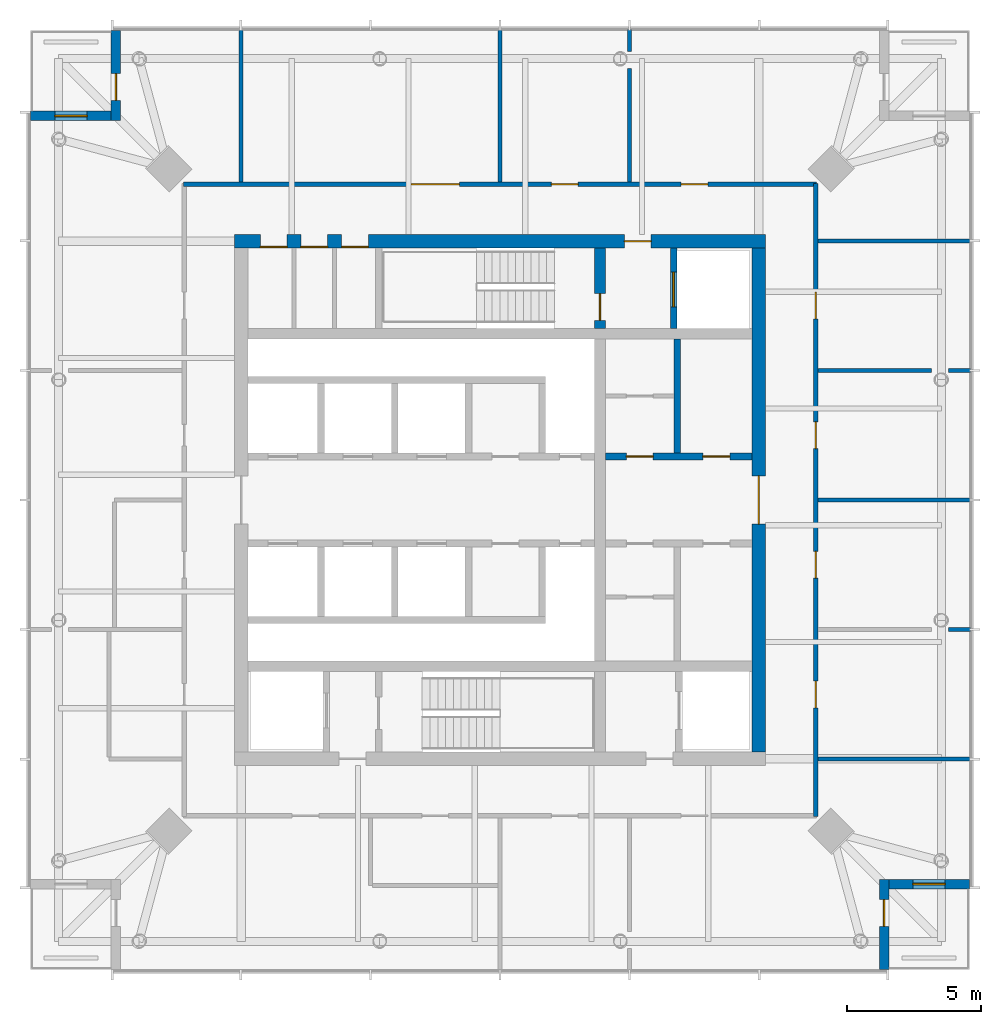
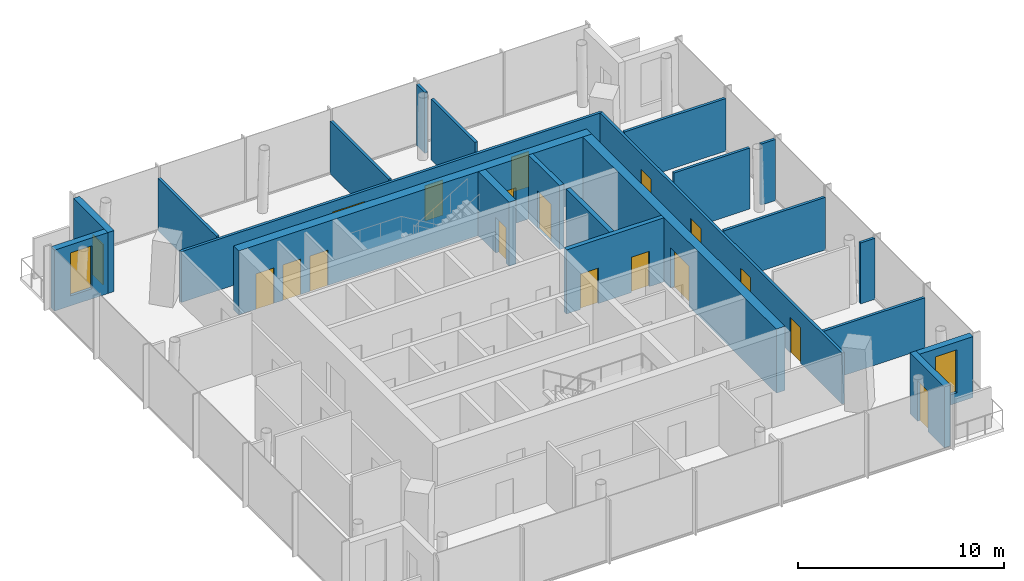
# One storey, part 5 of 7: 22 walls, 18 doors, 2 windows, 20 openings.
"""IFC4 building model written with IfcOpenShell, lengths in metres."""

from ifc_helpers import new_model, si_unit, direction, frame, frame_2d, origin, place, context, subcontext, project, spatial, rectangle, extrude, material, layer, layer_set, type_object, element, fill, save


model = new_model("IFC4")

# Units and contexts
model_context = context("Model", 3, precision=1e-05, world=origin(), true_north=direction((0.0, 1.0)))
body_context = subcontext(model_context, "Body", "Model", "MODEL_VIEW")
ifc_project = project(units=[si_unit("LENGTHUNIT", "METRE"), si_unit("AREAUNIT", "SQUARE_METRE"), si_unit("VOLUMEUNIT", "CUBIC_METRE"), si_unit("PLANEANGLEUNIT", "RADIAN"), si_unit("MASSUNIT", "GRAM", prefix="KILO")], contexts=[model_context])

# Site, building, storey
site_placement = place(None, origin())
site = spatial("IfcSite", under=ifc_project, at=site_placement, CompositionType="ELEMENT")
building_placement = place(site_placement, origin())
building = spatial("IfcBuilding", under=site, at=building_placement, Name="Ostroluk Exchange", CompositionType="ELEMENT")
storey_placement = place(building_placement, frame((0.0, 0.0, 256.60009765625)))
storey = spatial("IfcBuildingStorey", under=building, at=storey_placement, Name="L66", CompositionType="ELEMENT", Elevation=256.60009765625)

# Wall, opening, door
ifc_material_1 = material(Name="Concrete C50/60", Category="concrete")
ifc_layer_1 = layer(ifc_material_1, 0.39990234375)
ifc_layer_set_1 = layer_set([ifc_layer_1], Name="Core cross wall 400 C50/60")
wall_type_1 = type_object("IfcWallType", Name="Core cross wall 400 C50/60", PredefinedType="SHEAR", material=ifc_layer_set_1)
wall_1_placement = place(storey_placement, frame((48.72998046875, 52.39990234375, 0.0), z_axis=(0.0, 0.0, 1.0), x_axis=(0.0, 1.0, 0.0)))
wall_1 = element("IfcWall", 1, at=wall_1_placement, inside=storey, type_object=wall_type_1, Name="T1 core wall YE3", PredefinedType="SHEAR", context=body_context, shape_type="SweptSolid", body=[
    extrude(rectangle(XDim=3.0, YDim=0.39990234375, at=frame_2d((1.5, 0.0))), origin(), (0.0, 0.0, 1.0), 3.7998046875),
])
opening_1_placement = place(wall_1_placement, frame((0.300048828125, 0.0, 0.0)))
opening_1 = element("IfcOpeningElement", 2, at=opening_1_placement, cuts=wall_1, Name="Opening FD60", PredefinedType="OPENING", context=body_context, shape_type="SweptSolid", body=[
    extrude(rectangle(XDim=1.0, YDim=2.10009765625, at=frame_2d((0.5, 1.050048828125))), frame((0.0, 0.2099609375, 0.0), z_axis=(0.0, -1.0, 0.0), x_axis=(1.0, 0.0, 0.0)), (0.0, 0.0, 1.0), 0.419921875),
])
ifc_material_2 = material(Name="Steel", Category="steel")
door_type_1 = type_object("IfcDoorType", Name="Fire door EI 60 1000 x 2100", OperationType="SINGLE_SWING_LEFT", PredefinedType="DOOR", material=ifc_material_2)
door_1_placement = place(opening_1_placement, origin())
door_1 = element("IfcDoor", 3, at=door_1_placement, inside=storey, type_object=door_type_1, Name="Stair T1-S2 door", OperationType="SINGLE_SWING_LEFT", OverallHeight=2.10009765625, OverallWidth=1.0, PredefinedType="DOOR", context=body_context, shape_type="SweptSolid", body=[
    extrude(rectangle(XDim=1.0, YDim=2.10009765625, at=frame_2d((0.5, 1.050048828125))), frame((0.0, 0.02490234375, 0.0), z_axis=(0.0, -1.0, 0.0), x_axis=(1.0, 0.0, 0.0)), (0.0, 0.0, 1.0), 0.050048828125),
])
fill(opening_1, door_1)

ifc_material_3 = material(Name="Concrete C40/50", Category="concrete")
ifc_layer_2 = layer(ifc_material_3, 0.25)
ifc_layer_set_2 = layer_set([ifc_layer_2], Name="Core shaft wall 250")
wall_type_2 = type_object("IfcWallType", Name="Core shaft wall 250", PredefinedType="SHEAR", material=ifc_layer_set_2)
wall_2_placement = place(storey_placement, frame((51.47509765625, 52.39990234375, 0.0), z_axis=(0.0, 0.0, 1.0), x_axis=(0.0, 1.0, 0.0)))
wall_2 = element("IfcWall", 4, at=wall_2_placement, inside=storey, type_object=wall_type_2, Name="Firefighting lift shaft wall", PredefinedType="SHEAR", context=body_context, shape_type="SweptSolid", body=[
    extrude(rectangle(XDim=3.0, YDim=0.25, at=frame_2d((1.5, 0.0))), origin(), (0.0, 0.0, 1.0), 3.7998046875),
])
opening_2_placement = place(wall_2_placement, frame((0.800048828125, 0.0, 0.0)))
opening_2 = element("IfcOpeningElement", 5, at=opening_2_placement, cuts=wall_2, Name="Opening LD2", PredefinedType="OPENING", context=body_context, shape_type="SweptSolid", body=[
    extrude(rectangle(XDim=1.300048828125, YDim=2.199951171875, at=frame_2d((0.64990234375, 1.10009765625))), frame((0.0, 0.135009765625, 0.0), z_axis=(0.0, -1.0, 0.0), x_axis=(1.0, 0.0, 0.0)), (0.0, 0.0, 1.0), 0.27001953125),
])
ifc_material_4 = material(Name="Stainless steel", Category="steel")
door_type_2 = type_object("IfcDoorType", Name="Lift landing door E 60 1300 x 2200", OperationType="DOUBLE_DOOR_SLIDING", PredefinedType="DOOR", material=ifc_material_4)
door_2_placement = place(opening_2_placement, origin())
door_2 = element("IfcDoor", 6, at=door_2_placement, inside=storey, type_object=door_type_2, Name="Lift FL2 landing door", OperationType="DOUBLE_DOOR_SLIDING", OverallHeight=2.199951171875, OverallWidth=1.300048828125, PredefinedType="DOOR", context=body_context, shape_type="SweptSolid", body=[
    extrude(rectangle(XDim=1.300048828125, YDim=2.199951171875, at=frame_2d((0.64990234375, 1.10009765625))), frame((0.0, 0.02490234375, 0.0), z_axis=(0.0, -1.0, 0.0), x_axis=(1.0, 0.0, 0.0)), (0.0, 0.0, 1.0), 0.050048828125),
])
fill(opening_2, door_2)

# Wall
wall_3_placement = place(storey_placement, frame((51.614990234375, 47.75, 0.0), z_axis=(0.0, 0.0, 1.0), x_axis=(0.0, 1.0, 0.0)))
element("IfcWall", 7, at=wall_3_placement, inside=storey, type_object=wall_type_2, Name="Lift shaft wall", PredefinedType="SHEAR", context=body_context, shape_type="SweptSolid", body=[
    extrude(rectangle(XDim=4.25, YDim=0.25, at=frame_2d((2.125, 0.0))), origin(), (0.0, 0.0, 1.0), 3.7998046875),
])

# Wall, openings, doors
wall_4_placement = place(storey_placement, frame((48.929931640625, 47.625, 0.0), z_axis=(0.0, 0.0, 1.0), x_axis=(1.0, 0.0, 0.0)))
wall_4 = element("IfcWall", 8, at=wall_4_placement, inside=storey, type_object=wall_type_2, Name="Lift shaft front wall", PredefinedType="SHEAR", context=body_context, shape_type="SweptSolid", body=[
    extrude(rectangle(XDim=5.469970703125, YDim=0.25, at=frame_2d((2.73486328125, 0.0))), origin(), (0.0, 0.0, 1.0), 3.7998046875),
])
opening_3_placement = place(wall_4_placement, frame((0.780029296875, 0.0, 0.0)))
opening_3 = element("IfcOpeningElement", 9, at=opening_3_placement, cuts=wall_4, Name="Opening FD60", PredefinedType="OPENING", context=body_context, shape_type="SweptSolid", body=[
    extrude(rectangle(XDim=1.0, YDim=2.10009765625, at=frame_2d((0.5, 1.050048828125))), frame((0.0, 0.135009765625, 0.0), z_axis=(0.0, -1.0, 0.0), x_axis=(1.0, 0.0, 0.0)), (0.0, 0.0, 1.0), 0.27001953125),
])
opening_4_placement = place(wall_4_placement, frame((3.639892578125, 0.0, 0.0)))
opening_4 = element("IfcOpeningElement", 10, at=opening_4_placement, cuts=wall_4, Name="Opening FD60", PredefinedType="OPENING", context=body_context, shape_type="SweptSolid", body=[
    extrude(rectangle(XDim=1.0, YDim=2.10009765625, at=frame_2d((0.5, 1.050048828125))), frame((0.0, 0.135009765625, 0.0), z_axis=(0.0, -1.0, 0.0), x_axis=(1.0, 0.0, 0.0)), (0.0, 0.0, 1.0), 0.27001953125),
])
door_3_placement = place(opening_3_placement, origin())
door_3 = element("IfcDoor", 11, at=door_3_placement, inside=storey, type_object=door_type_1, Name="Core room door", OperationType="SINGLE_SWING_LEFT", OverallHeight=2.10009765625, OverallWidth=1.0, PredefinedType="DOOR", context=body_context, shape_type="SweptSolid", body=[
    extrude(rectangle(XDim=1.0, YDim=2.10009765625, at=frame_2d((0.5, 1.050048828125))), frame((0.0, 0.02490234375, 0.0), z_axis=(0.0, -1.0, 0.0), x_axis=(1.0, 0.0, 0.0)), (0.0, 0.0, 1.0), 0.050048828125),
])
fill(opening_3, door_3)
door_4_placement = place(opening_4_placement, origin())
door_4 = element("IfcDoor", 12, at=door_4_placement, inside=storey, type_object=door_type_1, Name="Core room door", OperationType="SINGLE_SWING_RIGHT", OverallHeight=2.10009765625, OverallWidth=1.0, PredefinedType="DOOR", context=body_context, shape_type="SweptSolid", body=[
    extrude(rectangle(XDim=1.0, YDim=2.10009765625, at=frame_2d((0.5, 1.050048828125))), frame((0.0, 0.02490234375, 0.0), z_axis=(0.0, -1.0, 0.0), x_axis=(1.0, 0.0, 0.0)), (0.0, 0.0, 1.0), 0.050048828125),
])
fill(opening_4, door_4)

ifc_material_5 = material(Name="Concrete C50/60", Category="concrete")
ifc_layer_3 = layer(ifc_material_5, 0.5)
ifc_layer_set_3 = layer_set([ifc_layer_3], Name="Core wall 500 C50/60")
wall_type_3 = type_object("IfcWallType", Name="Core wall 500 C50/60", PredefinedType="SHEAR", material=ifc_layer_set_3)
wall_5_placement = place(storey_placement, frame((35.10009765625, 55.64990234375, 0.0), z_axis=(0.0, 0.0, 1.0), x_axis=(1.0, 0.0, 0.0)))
wall_5 = element("IfcWall", 13, at=wall_5_placement, inside=storey, type_object=wall_type_3, Name="T1 core wall N", PredefinedType="SHEAR", context=body_context, shape_type="SweptSolid", body=[
    extrude(rectangle(XDim=19.7998046875, YDim=0.5, at=frame_2d((9.89990234375, 0.0))), origin(), (0.0, 0.0, 1.0), 3.7998046875),
])
opening_5_placement = place(wall_5_placement, frame((14.5400390625, 0.0, 0.0)))
opening_5 = element("IfcOpeningElement", 14, at=opening_5_placement, cuts=wall_5, Name="Opening FD60", PredefinedType="OPENING", context=body_context, shape_type="SweptSolid", body=[
    extrude(rectangle(XDim=1.0, YDim=2.10009765625, at=frame_2d((0.5, 1.050048828125))), frame((0.0, 0.260009765625, 0.0), z_axis=(0.0, -1.0, 0.0), x_axis=(1.0, 0.0, 0.0)), (0.0, 0.0, 1.0), 0.52001953125),
])
opening_6_placement = place(wall_5_placement, frame((0.9599609375, 0.0, 0.0)))
opening_6 = element("IfcOpeningElement", 15, at=opening_6_placement, cuts=wall_5, Name="Opening FD60", PredefinedType="OPENING", context=body_context, shape_type="SweptSolid", body=[
    extrude(rectangle(XDim=1.0, YDim=2.10009765625, at=frame_2d((0.5, 1.050048828125))), frame((0.0, 0.260009765625, 0.0), z_axis=(0.0, -1.0, 0.0), x_axis=(1.0, 0.0, 0.0)), (0.0, 0.0, 1.0), 0.52001953125),
])
opening_7_placement = place(wall_5_placement, frame((2.469970703125, 0.0, 0.0)))
opening_7 = element("IfcOpeningElement", 16, at=opening_7_placement, cuts=wall_5, Name="Opening FD60", PredefinedType="OPENING", context=body_context, shape_type="SweptSolid", body=[
    extrude(rectangle(XDim=1.0, YDim=2.10009765625, at=frame_2d((0.5, 1.050048828125))), frame((0.0, 0.260009765625, 0.0), z_axis=(0.0, -1.0, 0.0), x_axis=(1.0, 0.0, 0.0)), (0.0, 0.0, 1.0), 0.52001953125),
])
opening_8_placement = place(wall_5_placement, frame((3.989990234375, 0.0, 0.0)))
opening_8 = element("IfcOpeningElement", 17, at=opening_8_placement, cuts=wall_5, Name="Opening FD60", PredefinedType="OPENING", context=body_context, shape_type="SweptSolid", body=[
    extrude(rectangle(XDim=1.0, YDim=2.10009765625, at=frame_2d((0.5, 1.050048828125))), frame((0.0, 0.260009765625, 0.0), z_axis=(0.0, -1.0, 0.0), x_axis=(1.0, 0.0, 0.0)), (0.0, 0.0, 1.0), 0.52001953125),
])
door_5_placement = place(opening_5_placement, origin())
door_5 = element("IfcDoor", 18, at=door_5_placement, inside=storey, type_object=door_type_1, Name="Firefighting lobby door", OperationType="SINGLE_SWING_RIGHT", OverallHeight=2.10009765625, OverallWidth=1.0, PredefinedType="DOOR", context=body_context, shape_type="SweptSolid", body=[
    extrude(rectangle(XDim=1.0, YDim=2.10009765625, at=frame_2d((0.5, 1.050048828125))), frame((0.0, 0.02490234375, 0.0), z_axis=(0.0, -1.0, 0.0), x_axis=(1.0, 0.0, 0.0)), (0.0, 0.0, 1.0), 0.050048828125),
])
fill(opening_5, door_5)
door_6_placement = place(opening_6_placement, origin())
door_6 = element("IfcDoor", 19, at=door_6_placement, inside=storey, type_object=door_type_1, Name="Comms room door", OperationType="SINGLE_SWING_LEFT", OverallHeight=2.10009765625, OverallWidth=1.0, PredefinedType="DOOR", context=body_context, shape_type="SweptSolid", body=[
    extrude(rectangle(XDim=1.0, YDim=2.10009765625, at=frame_2d((0.5, 1.050048828125))), frame((0.0, -0.18994140625, 0.0), z_axis=(0.0, -1.0, 0.0), x_axis=(1.0, 0.0, 0.0)), (0.0, 0.0, 1.0), 0.050048828125),
])
fill(opening_6, door_6)
door_7_placement = place(opening_7_placement, origin())
door_7 = element("IfcDoor", 20, at=door_7_placement, inside=storey, type_object=door_type_1, Name="Cleaner's store door", OperationType="SINGLE_SWING_LEFT", OverallHeight=2.10009765625, OverallWidth=1.0, PredefinedType="DOOR", context=body_context, shape_type="SweptSolid", body=[
    extrude(rectangle(XDim=1.0, YDim=2.10009765625, at=frame_2d((0.5, 1.050048828125))), frame((0.0, -0.18994140625, 0.0), z_axis=(0.0, -1.0, 0.0), x_axis=(1.0, 0.0, 0.0)), (0.0, 0.0, 1.0), 0.050048828125),
])
fill(opening_7, door_7)
door_8_placement = place(opening_8_placement, origin())
door_8 = element("IfcDoor", 21, at=door_8_placement, inside=storey, type_object=door_type_1, Name="Store door", OperationType="SINGLE_SWING_LEFT", OverallHeight=2.10009765625, OverallWidth=1.0, PredefinedType="DOOR", context=body_context, shape_type="SweptSolid", body=[
    extrude(rectangle(XDim=1.0, YDim=2.10009765625, at=frame_2d((0.5, 1.050048828125))), frame((0.0, -0.18994140625, 0.0), z_axis=(0.0, -1.0, 0.0), x_axis=(1.0, 0.0, 0.0)), (0.0, 0.0, 1.0), 0.050048828125),
])
fill(opening_8, door_8)

# Wall, opening, door
wall_6_placement = place(storey_placement, frame((54.64990234375, 36.60009765625, 0.0), z_axis=(0.0, 0.0, 1.0), x_axis=(0.0, 1.0, 0.0)))
wall_6 = element("IfcWall", 22, at=wall_6_placement, inside=storey, type_object=wall_type_3, Name="T1 core wall E", PredefinedType="SHEAR", context=body_context, shape_type="SweptSolid", body=[
    extrude(rectangle(XDim=18.7998046875, YDim=0.5, at=frame_2d((9.39990234375, 0.0))), origin(), (0.0, 0.0, 1.0), 3.7998046875),
])
opening_9_placement = place(wall_6_placement, frame((8.5, 0.0, 0.0)))
opening_9 = element("IfcOpeningElement", 23, at=opening_9_placement, cuts=wall_6, Name="Opening FD30D", PredefinedType="OPENING", context=body_context, shape_type="SweptSolid", body=[
    extrude(rectangle(XDim=1.800048828125, YDim=2.39990234375, at=frame_2d((0.89990234375, 1.199951171875))), frame((0.0, 0.260009765625, 0.0), z_axis=(0.0, -1.0, 0.0), x_axis=(1.0, 0.0, 0.0)), (0.0, 0.0, 1.0), 0.52001953125),
])
ifc_material_6 = material(Name="Timber", Category="wood")
door_type_3 = type_object("IfcDoorType", Name="Lobby double door EI 30 1800 x 2400", OperationType="DOUBLE_DOOR_SINGLE_SWING", PredefinedType="DOOR", material=ifc_material_6)
door_9_placement = place(opening_9_placement, origin())
door_9 = element("IfcDoor", 24, at=door_9_placement, inside=storey, type_object=door_type_3, Name="Lift lobby doors", OperationType="DOUBLE_DOOR_SINGLE_SWING", OverallHeight=2.39990234375, OverallWidth=1.800048828125, PredefinedType="DOOR", context=body_context, shape_type="SweptSolid", body=[
    extrude(rectangle(XDim=1.800048828125, YDim=2.39990234375, at=frame_2d((0.89990234375, 1.199951171875))), frame((0.0, 0.02490234375, 0.0), z_axis=(0.0, -1.0, 0.0), x_axis=(1.0, 0.0, 0.0)), (0.0, 0.0, 1.0), 0.050048828125),
])
fill(opening_9, door_9)

ifc_material_7 = material(Name="Limestone", Category="masonry")
ifc_layer_4 = layer(ifc_material_7, 0.35009765625)
ifc_layer_set_4 = layer_set([ifc_layer_4], Name="Limestone facade wall 350")
wall_type_4 = type_object("IfcWallType", Name="Limestone facade wall 350", PredefinedType="SOLIDWALL", material=ifc_layer_set_4)
wall_7_placement = place(storey_placement, frame((59.324951171875, 28.5, 0.0), z_axis=(0.0, 0.0, 1.0), x_axis=(0.0, 1.0, 0.0)))
wall_7 = element("IfcWall", 25, at=wall_7_placement, inside=storey, type_object=wall_type_4, Name="Office tower SE corner wall L66 a", PredefinedType="SOLIDWALL", context=body_context, shape_type="SweptSolid", body=[
    extrude(rectangle(XDim=3.35009765625, YDim=0.35009765625, at=frame_2d((1.675048828125, 0.0))), origin(), (0.0, 0.0, 1.0), 3.619873046875),
])
opening_10_placement = place(wall_7_placement, frame((1.60009765625, 0.0, 0.0)))
opening_10 = element("IfcOpeningElement", 26, at=opening_10_placement, cuts=wall_7, Name="Opening D-B1", PredefinedType="OPENING", context=body_context, shape_type="SweptSolid", body=[
    extrude(rectangle(XDim=1.0, YDim=2.39990234375, at=frame_2d((0.5, 1.199951171875))), frame((0.0, 0.18505859375, 0.0), z_axis=(0.0, -1.0, 0.0), x_axis=(1.0, 0.0, 0.0)), (0.0, 0.0, 1.0), 0.3701171875),
])
ifc_material_8 = material(Name="Bronze framed glazed door", Category="aluminium")
door_type_4 = type_object("IfcDoorType", Name="Balcony door 1000 x 2400", OperationType="SINGLE_SWING_LEFT", PredefinedType="DOOR", material=ifc_material_8)
door_10_placement = place(opening_10_placement, origin())
door_10 = element("IfcDoor", 27, at=door_10_placement, inside=storey, type_object=door_type_4, Name="Office tower SE balcony door L66", OperationType="SINGLE_SWING_RIGHT", OverallHeight=2.39990234375, OverallWidth=1.0, PredefinedType="DOOR", context=body_context, shape_type="SweptSolid", body=[
    extrude(rectangle(XDim=1.0, YDim=2.39990234375, at=frame_2d((0.5, 1.199951171875))), frame((0.0, 0.02490234375, 0.0), z_axis=(0.0, -1.0, 0.0), x_axis=(1.0, 0.0, 0.0)), (0.0, 0.0, 1.0), 0.050048828125),
])
fill(opening_10, door_10)

# Wall, opening, window
wall_8_placement = place(storey_placement, frame((59.5, 31.675048828125, 0.0), z_axis=(0.0, 0.0, 1.0), x_axis=(1.0, 0.0, 0.0)))
wall_8 = element("IfcWall", 28, at=wall_8_placement, inside=storey, type_object=wall_type_4, Name="Office tower SE corner wall L66 b", PredefinedType="SOLIDWALL", context=body_context, shape_type="SweptSolid", body=[
    extrude(rectangle(XDim=3.0, YDim=0.35009765625, at=frame_2d((1.5, 0.0))), origin(), (0.0, 0.0, 1.0), 3.619873046875),
])
opening_11_placement = place(wall_8_placement, frame((0.89990234375, 0.0, 0.60009765625)))
opening_11 = element("IfcOpeningElement", 29, at=opening_11_placement, cuts=wall_8, Name="Opening WN-L1", PredefinedType="OPENING", context=body_context, shape_type="SweptSolid", body=[
    extrude(rectangle(XDim=1.199951171875, YDim=2.550048828125, at=frame_2d((0.60009765625, 1.27490234375))), frame((0.0, 0.18505859375, 0.0), z_axis=(0.0, -1.0, 0.0), x_axis=(1.0, 0.0, 0.0)), (0.0, 0.0, 1.0), 0.3701171875),
])
ifc_material_9 = material(Name="Laminated clear glass", Category="glass")
window_type = type_object("IfcWindowType", Name="Lancet window 1200 x 2550", PartitioningType="SINGLE_PANEL", PredefinedType="WINDOW", material=ifc_material_9)
window_1_placement = place(opening_11_placement, origin())
window_1 = element("IfcWindow", 30, at=window_1_placement, inside=storey, type_object=window_type, Name="Office tower SE lancet window L66", OverallHeight=2.550048828125, OverallWidth=1.199951171875, PartitioningType="SINGLE_PANEL", PredefinedType="WINDOW", context=body_context, shape_type="SweptSolid", body=[
    extrude(rectangle(XDim=1.199951171875, YDim=2.550048828125, at=frame_2d((0.60009765625, 1.27490234375))), frame((0.0, 0.030029296875, 0.0), z_axis=(0.0, -1.0, 0.0), x_axis=(1.0, 0.0, 0.0)), (0.0, 0.0, 1.0), 0.06005859375),
])
fill(opening_11, window_1)

# Wall, opening, door
wall_9_placement = place(storey_placement, frame((30.675048828125, 63.5, 0.0), z_axis=(0.0, 0.0, 1.0), x_axis=(0.0, -1.0, 0.0)))
wall_9 = element("IfcWall", 31, at=wall_9_placement, inside=storey, type_object=wall_type_4, Name="Office tower NW corner wall L66 a", PredefinedType="SOLIDWALL", context=body_context, shape_type="SweptSolid", body=[
    extrude(rectangle(XDim=3.35009765625, YDim=0.35009765625, at=frame_2d((1.675048828125, 0.0))), origin(), (0.0, 0.0, 1.0), 3.619873046875),
])
opening_12_placement = place(wall_9_placement, frame((1.60009765625, 0.0, 0.0)))
opening_12 = element("IfcOpeningElement", 32, at=opening_12_placement, cuts=wall_9, Name="Opening D-B1", PredefinedType="OPENING", context=body_context, shape_type="SweptSolid", body=[
    extrude(rectangle(XDim=1.0, YDim=2.39990234375, at=frame_2d((0.5, 1.199951171875))), frame((0.0, 0.18505859375, 0.0), z_axis=(0.0, -1.0, 0.0), x_axis=(1.0, 0.0, 0.0)), (0.0, 0.0, 1.0), 0.3701171875),
])
door_11_placement = place(opening_12_placement, origin())
door_11 = element("IfcDoor", 33, at=door_11_placement, inside=storey, type_object=door_type_4, Name="Office tower NW balcony door L66", OperationType="SINGLE_SWING_RIGHT", OverallHeight=2.39990234375, OverallWidth=1.0, PredefinedType="DOOR", context=body_context, shape_type="SweptSolid", body=[
    extrude(rectangle(XDim=1.0, YDim=2.39990234375, at=frame_2d((0.5, 1.199951171875))), frame((0.0, 0.02490234375, 0.0), z_axis=(0.0, -1.0, 0.0), x_axis=(1.0, 0.0, 0.0)), (0.0, 0.0, 1.0), 0.050048828125),
])
fill(opening_12, door_11)

# Wall, opening, window
wall_10_placement = place(storey_placement, frame((30.5, 60.324951171875, 0.0), z_axis=(0.0, 0.0, 1.0), x_axis=(-1.0, 0.0, 0.0)))
wall_10 = element("IfcWall", 34, at=wall_10_placement, inside=storey, type_object=wall_type_4, Name="Office tower NW corner wall L66 b", PredefinedType="SOLIDWALL", context=body_context, shape_type="SweptSolid", body=[
    extrude(rectangle(XDim=3.0, YDim=0.35009765625, at=frame_2d((1.5, 0.0))), origin(), (0.0, 0.0, 1.0), 3.619873046875),
])
opening_13_placement = place(wall_10_placement, frame((0.89990234375, 0.0, 0.60009765625)))
opening_13 = element("IfcOpeningElement", 35, at=opening_13_placement, cuts=wall_10, Name="Opening WN-L1", PredefinedType="OPENING", context=body_context, shape_type="SweptSolid", body=[
    extrude(rectangle(XDim=1.199951171875, YDim=2.550048828125, at=frame_2d((0.60009765625, 1.27490234375))), frame((0.0, 0.18505859375, 0.0), z_axis=(0.0, -1.0, 0.0), x_axis=(1.0, 0.0, 0.0)), (0.0, 0.0, 1.0), 0.3701171875),
])
window_2_placement = place(opening_13_placement, origin())
window_2 = element("IfcWindow", 36, at=window_2_placement, inside=storey, type_object=window_type, Name="Office tower NW lancet window L66", OverallHeight=2.550048828125, OverallWidth=1.199951171875, PartitioningType="SINGLE_PANEL", PredefinedType="WINDOW", context=body_context, shape_type="SweptSolid", body=[
    extrude(rectangle(XDim=1.199951171875, YDim=2.550048828125, at=frame_2d((0.60009765625, 1.27490234375))), frame((0.0, 0.030029296875, 0.0), z_axis=(0.0, -1.0, 0.0), x_axis=(1.0, 0.0, 0.0)), (0.0, 0.0, 1.0), 0.06005859375),
])
fill(opening_13, window_2)

# Wall, openings, doors
ifc_material_10 = material(Name="Gypsum plasterboard partition", Category="gypsum")
ifc_layer_5 = layer(ifc_material_10, 0.14990234375)
ifc_layer_set_5 = layer_set([ifc_layer_5], Name="Plasterboard partition 150")
wall_type_5 = type_object("IfcWallType", Name="Plasterboard partition 150", PredefinedType="PARTITIONING", material=ifc_layer_set_5)
wall_11_placement = place(storey_placement, frame((56.77490234375, 34.198486328125, 0.0), z_axis=(0.0, 0.0, 1.0), x_axis=(0.0, 1.0, 0.0)))
wall_11 = element("IfcWall", 37, at=wall_11_placement, inside=storey, type_object=wall_type_5, Name="Partition", PredefinedType="PARTITIONING", context=body_context, shape_type="SweptSolid", body=[
    extrude(rectangle(XDim=23.60302734375, YDim=0.14990234375, at=frame_2d((11.801513671875, 0.0))), origin(), (0.0, 0.0, 1.0), 3.02001953125),
])
opening_14_placement = place(wall_11_placement, frame((4.051513671875, 0.0, 0.0)))
opening_14 = element("IfcOpeningElement", 38, at=opening_14_placement, cuts=wall_11, Name="Opening D-03", PredefinedType="OPENING", context=body_context, shape_type="SweptSolid", body=[
    extrude(rectangle(XDim=1.0, YDim=2.10009765625, at=frame_2d((0.5, 1.050048828125))), frame((0.0, 0.0849609375, 0.0), z_axis=(0.0, -1.0, 0.0), x_axis=(1.0, 0.0, 0.0)), (0.0, 0.0, 1.0), 0.169921875),
])
opening_15_placement = place(wall_11_placement, frame((8.884765625, 0.0, 0.0)))
opening_15 = element("IfcOpeningElement", 39, at=opening_15_placement, cuts=wall_11, Name="Opening D-03", PredefinedType="OPENING", context=body_context, shape_type="SweptSolid", body=[
    extrude(rectangle(XDim=1.0, YDim=2.10009765625, at=frame_2d((0.5, 1.050048828125))), frame((0.0, 0.0849609375, 0.0), z_axis=(0.0, -1.0, 0.0), x_axis=(1.0, 0.0, 0.0)), (0.0, 0.0, 1.0), 0.169921875),
])
opening_16_placement = place(wall_11_placement, frame((13.718017578125, 0.0, 0.0)))
opening_16 = element("IfcOpeningElement", 40, at=opening_16_placement, cuts=wall_11, Name="Opening D-03", PredefinedType="OPENING", context=body_context, shape_type="SweptSolid", body=[
    extrude(rectangle(XDim=1.0, YDim=2.10009765625, at=frame_2d((0.5, 1.050048828125))), frame((0.0, 0.0849609375, 0.0), z_axis=(0.0, -1.0, 0.0), x_axis=(1.0, 0.0, 0.0)), (0.0, 0.0, 1.0), 0.169921875),
])
opening_17_placement = place(wall_11_placement, frame((18.551513671875, 0.0, 0.0)))
opening_17 = element("IfcOpeningElement", 41, at=opening_17_placement, cuts=wall_11, Name="Opening D-03", PredefinedType="OPENING", context=body_context, shape_type="SweptSolid", body=[
    extrude(rectangle(XDim=1.0, YDim=2.10009765625, at=frame_2d((0.5, 1.050048828125))), frame((0.0, 0.0849609375, 0.0), z_axis=(0.0, -1.0, 0.0), x_axis=(1.0, 0.0, 0.0)), (0.0, 0.0, 1.0), 0.169921875),
])
ifc_material_11 = material(Name="Timber", Category="wood")
door_type_5 = type_object("IfcDoorType", Name="Internal door 1000 x 2100", OperationType="SINGLE_SWING_LEFT", PredefinedType="DOOR", material=ifc_material_11)
door_12_placement = place(opening_14_placement, origin())
door_12 = element("IfcDoor", 42, at=door_12_placement, inside=storey, type_object=door_type_5, Name="Office door", OperationType="SINGLE_SWING_LEFT", OverallHeight=2.10009765625, OverallWidth=1.0, PredefinedType="DOOR", context=body_context, shape_type="SweptSolid", body=[
    extrude(rectangle(XDim=1.0, YDim=2.10009765625, at=frame_2d((0.5, 1.050048828125))), frame((0.0, 0.02490234375, 0.0), z_axis=(0.0, -1.0, 0.0), x_axis=(1.0, 0.0, 0.0)), (0.0, 0.0, 1.0), 0.050048828125),
])
fill(opening_14, door_12)
door_13_placement = place(opening_15_placement, origin())
door_13 = element("IfcDoor", 43, at=door_13_placement, inside=storey, type_object=door_type_5, Name="Meeting room door", OperationType="SINGLE_SWING_LEFT", OverallHeight=2.10009765625, OverallWidth=1.0, PredefinedType="DOOR", context=body_context, shape_type="SweptSolid", body=[
    extrude(rectangle(XDim=1.0, YDim=2.10009765625, at=frame_2d((0.5, 1.050048828125))), frame((0.0, 0.02490234375, 0.0), z_axis=(0.0, -1.0, 0.0), x_axis=(1.0, 0.0, 0.0)), (0.0, 0.0, 1.0), 0.050048828125),
])
fill(opening_15, door_13)
door_14_placement = place(opening_16_placement, origin())
door_14 = element("IfcDoor", 44, at=door_14_placement, inside=storey, type_object=door_type_5, Name="Pantry door", OperationType="SINGLE_SWING_RIGHT", OverallHeight=2.10009765625, OverallWidth=1.0, PredefinedType="DOOR", context=body_context, shape_type="SweptSolid", body=[
    extrude(rectangle(XDim=1.0, YDim=2.10009765625, at=frame_2d((0.5, 1.050048828125))), frame((0.0, 0.02490234375, 0.0), z_axis=(0.0, -1.0, 0.0), x_axis=(1.0, 0.0, 0.0)), (0.0, 0.0, 1.0), 0.050048828125),
])
fill(opening_16, door_14)
door_15_placement = place(opening_17_placement, origin())
door_15 = element("IfcDoor", 45, at=door_15_placement, inside=storey, type_object=door_type_5, Name="Meeting room door", OperationType="SINGLE_SWING_RIGHT", OverallHeight=2.10009765625, OverallWidth=1.0, PredefinedType="DOOR", context=body_context, shape_type="SweptSolid", body=[
    extrude(rectangle(XDim=1.0, YDim=2.10009765625, at=frame_2d((0.5, 1.050048828125))), frame((0.0, 0.02490234375, 0.0), z_axis=(0.0, -1.0, 0.0), x_axis=(1.0, 0.0, 0.0)), (0.0, 0.0, 1.0), 0.050048828125),
])
fill(opening_17, door_15)

# Walls
wall_12_placement = place(storey_placement, frame((56.85009765625, 36.333251953125, 0.0), z_axis=(0.0, 0.0, 1.0), x_axis=(1.0, 0.0, 0.0)))
element("IfcWall", 46, at=wall_12_placement, inside=storey, type_object=wall_type_5, Name="Partition", PredefinedType="PARTITIONING", context=body_context, shape_type="SweptSolid", body=[
    extrude(rectangle(XDim=5.68994140625, YDim=0.14990234375, at=frame_2d((2.844970703125, 0.0))), origin(), (0.0, 0.0, 1.0), 3.02001953125),
])
wall_13_placement = place(storey_placement, frame((61.725341796875, 41.166748046875, 0.0), z_axis=(0.0, 0.0, 1.0), x_axis=(1.0, 0.0, 0.0)))
element("IfcWall", 47, at=wall_13_placement, inside=storey, type_object=wall_type_5, Name="Partition", PredefinedType="PARTITIONING", context=body_context, shape_type="SweptSolid", body=[
    extrude(rectangle(XDim=0.814697265625, YDim=0.14990234375, at=frame_2d((0.4072265625, 0.0))), origin(), (0.0, 0.0, 1.0), 3.619873046875),
])
wall_14_placement = place(storey_placement, frame((56.85009765625, 46.0, 0.0), z_axis=(0.0, 0.0, 1.0), x_axis=(1.0, 0.0, 0.0)))
element("IfcWall", 48, at=wall_14_placement, inside=storey, type_object=wall_type_5, Name="Partition", PredefinedType="PARTITIONING", context=body_context, shape_type="SweptSolid", body=[
    extrude(rectangle(XDim=5.68994140625, YDim=0.14990234375, at=frame_2d((2.844970703125, 0.0))), origin(), (0.0, 0.0, 1.0), 3.119873046875),
])
wall_15_placement = place(storey_placement, frame((56.85009765625, 50.833251953125, 0.0), z_axis=(0.0, 0.0, 1.0), x_axis=(1.0, 0.0, 0.0)))
element("IfcWall", 49, at=wall_15_placement, inside=storey, type_object=wall_type_5, Name="Partition", PredefinedType="PARTITIONING", context=body_context, shape_type="SweptSolid", body=[
    extrude(rectangle(XDim=4.245849609375, YDim=0.14990234375, at=frame_2d((2.123046875, 0.0))), origin(), (0.0, 0.0, 1.0), 3.619873046875),
])
wall_16_placement = place(storey_placement, frame((61.725341796875, 50.833251953125, 0.0), z_axis=(0.0, 0.0, 1.0), x_axis=(1.0, 0.0, 0.0)))
element("IfcWall", 50, at=wall_16_placement, inside=storey, type_object=wall_type_5, Name="Partition", PredefinedType="PARTITIONING", context=body_context, shape_type="SweptSolid", body=[
    extrude(rectangle(XDim=0.814697265625, YDim=0.14990234375, at=frame_2d((0.4072265625, 0.0))), origin(), (0.0, 0.0, 1.0), 3.619873046875),
])
wall_17_placement = place(storey_placement, frame((56.85009765625, 55.666748046875, 0.0), z_axis=(0.0, 0.0, 1.0), x_axis=(1.0, 0.0, 0.0)))
element("IfcWall", 51, at=wall_17_placement, inside=storey, type_object=wall_type_5, Name="Partition", PredefinedType="PARTITIONING", context=body_context, shape_type="SweptSolid", body=[
    extrude(rectangle(XDim=5.68994140625, YDim=0.14990234375, at=frame_2d((2.844970703125, 0.0))), origin(), (0.0, 0.0, 1.0), 3.119873046875),
])

# Wall, openings, doors
wall_18_placement = place(storey_placement, frame((56.801513671875, 57.77490234375, 0.0), z_axis=(0.0, 0.0, 1.0), x_axis=(-1.0, 0.0, 0.0)))
wall_18 = element("IfcWall", 52, at=wall_18_placement, inside=storey, type_object=wall_type_5, Name="Partition", PredefinedType="PARTITIONING", context=body_context, shape_type="SweptSolid", body=[
    extrude(rectangle(XDim=23.60302734375, YDim=0.14990234375, at=frame_2d((11.801513671875, 0.0))), origin(), (0.0, 0.0, 1.0), 3.02001953125),
])
opening_18_placement = place(wall_18_placement, frame((4.051513671875, 0.0, 0.0)))
opening_18 = element("IfcOpeningElement", 53, at=opening_18_placement, cuts=wall_18, Name="Opening D-03", PredefinedType="OPENING", context=body_context, shape_type="SweptSolid", body=[
    extrude(rectangle(XDim=1.0, YDim=2.10009765625, at=frame_2d((0.5, 1.050048828125))), frame((0.0, 0.0849609375, 0.0), z_axis=(0.0, -1.0, 0.0), x_axis=(1.0, 0.0, 0.0)), (0.0, 0.0, 1.0), 0.169921875),
])
opening_19_placement = place(wall_18_placement, frame((8.884765625, 0.0, 0.0)))
opening_19 = element("IfcOpeningElement", 54, at=opening_19_placement, cuts=wall_18, Name="Opening D-03", PredefinedType="OPENING", context=body_context, shape_type="SweptSolid", body=[
    extrude(rectangle(XDim=1.0, YDim=2.10009765625, at=frame_2d((0.5, 1.050048828125))), frame((0.0, 0.0849609375, 0.0), z_axis=(0.0, -1.0, 0.0), x_axis=(1.0, 0.0, 0.0)), (0.0, 0.0, 1.0), 0.169921875),
])
opening_20_placement = place(wall_18_placement, frame((13.318115234375, 0.0, 0.0)))
opening_20 = element("IfcOpeningElement", 55, at=opening_20_placement, cuts=wall_18, Name="Opening D-04", PredefinedType="OPENING", context=body_context, shape_type="SweptSolid", body=[
    extrude(rectangle(XDim=1.800048828125, YDim=2.39990234375, at=frame_2d((0.89990234375, 1.199951171875))), frame((0.0, 0.0849609375, 0.0), z_axis=(0.0, -1.0, 0.0), x_axis=(1.0, 0.0, 0.0)), (0.0, 0.0, 1.0), 0.169921875),
])
ifc_material_12 = material(Name="Timber", Category="wood")
door_type_6 = type_object("IfcDoorType", Name="Double door 1800 x 2400", OperationType="DOUBLE_DOOR_SINGLE_SWING", PredefinedType="DOOR", material=ifc_material_12)
door_16_placement = place(opening_20_placement, origin())
door_16 = element("IfcDoor", 56, at=door_16_placement, inside=storey, type_object=door_type_6, Name="Boardroom door", OperationType="DOUBLE_DOOR_SINGLE_SWING", OverallHeight=2.39990234375, OverallWidth=1.800048828125, PredefinedType="DOOR", context=body_context, shape_type="SweptSolid", body=[
    extrude(rectangle(XDim=1.800048828125, YDim=2.39990234375, at=frame_2d((0.89990234375, 1.199951171875))), frame((0.0, 0.02490234375, 0.0), z_axis=(0.0, -1.0, 0.0), x_axis=(1.0, 0.0, 0.0)), (0.0, 0.0, 1.0), 0.050048828125),
])
fill(opening_20, door_16)
door_17_placement = place(opening_18_placement, origin())
door_17 = element("IfcDoor", 57, at=door_17_placement, inside=storey, type_object=door_type_5, Name="Corner office door", OperationType="SINGLE_SWING_LEFT", OverallHeight=2.10009765625, OverallWidth=1.0, PredefinedType="DOOR", context=body_context, shape_type="SweptSolid", body=[
    extrude(rectangle(XDim=1.0, YDim=2.10009765625, at=frame_2d((0.5, 1.050048828125))), frame((0.0, 0.02490234375, 0.0), z_axis=(0.0, -1.0, 0.0), x_axis=(1.0, 0.0, 0.0)), (0.0, 0.0, 1.0), 0.050048828125),
])
fill(opening_18, door_17)
door_18_placement = place(opening_19_placement, origin())
door_18 = element("IfcDoor", 58, at=door_18_placement, inside=storey, type_object=door_type_5, Name="Meeting room door", OperationType="SINGLE_SWING_LEFT", OverallHeight=2.10009765625, OverallWidth=1.0, PredefinedType="DOOR", context=body_context, shape_type="SweptSolid", body=[
    extrude(rectangle(XDim=1.0, YDim=2.10009765625, at=frame_2d((0.5, 1.050048828125))), frame((0.0, 0.02490234375, 0.0), z_axis=(0.0, -1.0, 0.0), x_axis=(1.0, 0.0, 0.0)), (0.0, 0.0, 1.0), 0.050048828125),
])
fill(opening_19, door_18)

# Walls
wall_19_placement = place(storey_placement, frame((49.833251953125, 57.85009765625, 0.0), z_axis=(0.0, 0.0, 1.0), x_axis=(0.0, 1.0, 0.0)))
element("IfcWall", 59, at=wall_19_placement, inside=storey, type_object=wall_type_5, Name="Partition", PredefinedType="PARTITIONING", context=body_context, shape_type="SweptSolid", body=[
    extrude(rectangle(XDim=4.245849609375, YDim=0.14990234375, at=frame_2d((2.123046875, 0.0))), origin(), (0.0, 0.0, 1.0), 3.619873046875),
])
wall_20_placement = place(storey_placement, frame((49.833251953125, 62.725341796875, 0.0), z_axis=(0.0, 0.0, 1.0), x_axis=(0.0, 1.0, 0.0)))
element("IfcWall", 60, at=wall_20_placement, inside=storey, type_object=wall_type_5, Name="Partition", PredefinedType="PARTITIONING", context=body_context, shape_type="SweptSolid", body=[
    extrude(rectangle(XDim=0.814697265625, YDim=0.14990234375, at=frame_2d((0.4072265625, 0.0))), origin(), (0.0, 0.0, 1.0), 3.619873046875),
])
for number, where, z_axis, x_axis, name in (
    (61, (45.0, 57.85009765625, 0.0), (0.0, 0.0, 1.0), (0.0, 1.0, 0.0), "Partition"),
    (62, (35.333251953125, 57.85009765625, 0.0), (0.0, 0.0, 1.0), (0.0, 1.0, 0.0), "Partition"),
):
    element("IfcWall", number, at=place(storey_placement, frame(where, z_axis=z_axis, x_axis=x_axis)), inside=storey, type_object=wall_type_5, Name=name, PredefinedType="PARTITIONING", context=body_context, shape_type="SweptSolid", body=[
        extrude(rectangle(XDim=5.68994140625, YDim=0.14990234375, at=frame_2d((2.844970703125, 0.0))), origin(), (0.0, 0.0, 1.0), 3.119873046875),
    ])

save(model, "model.ifc")
